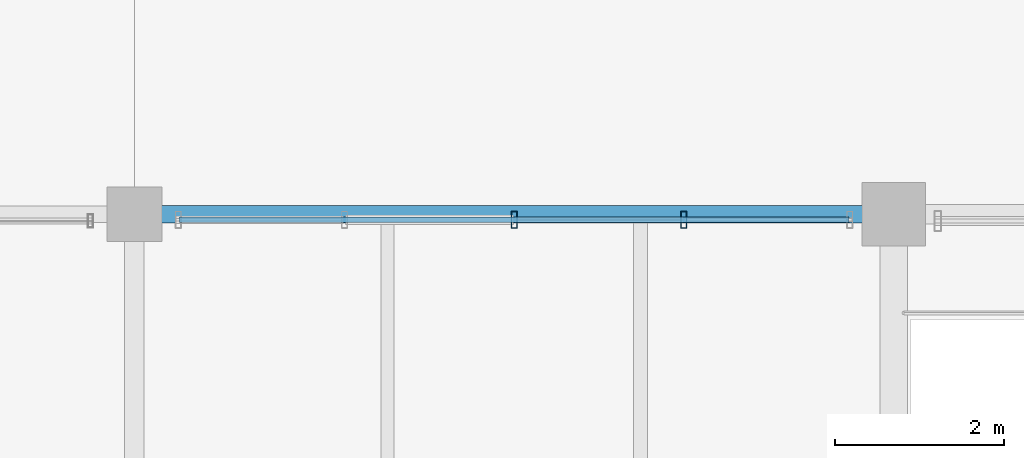
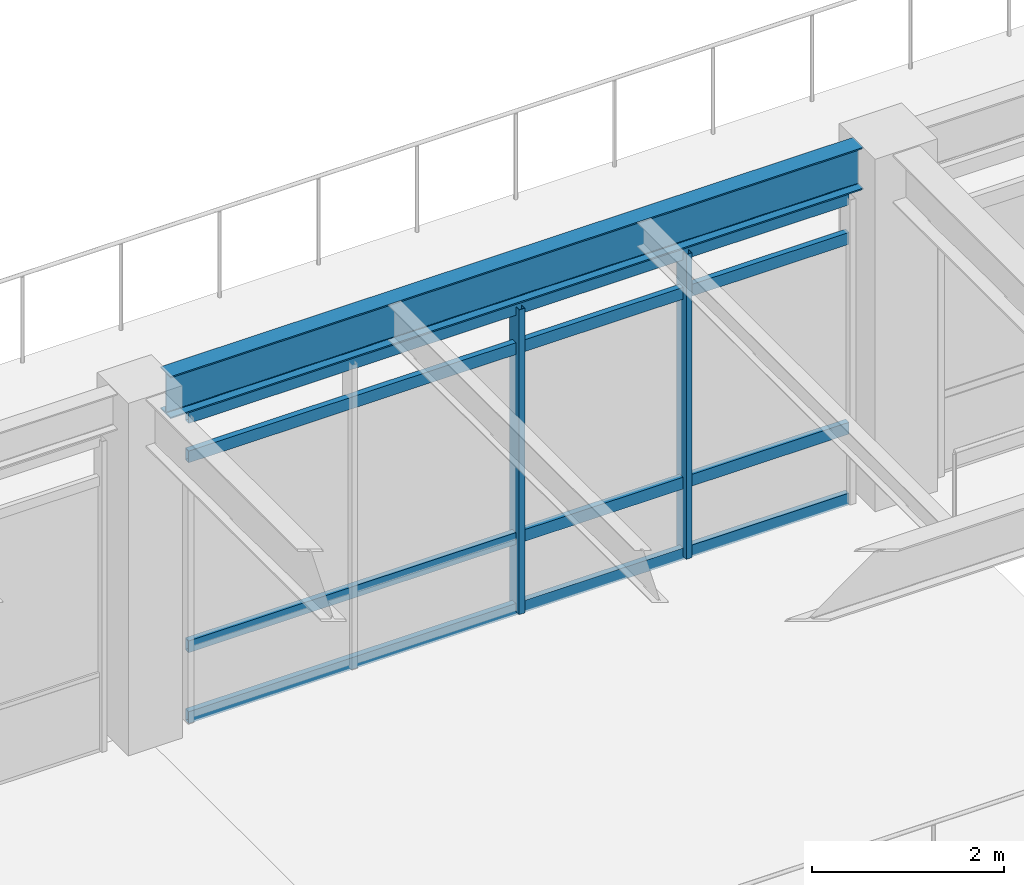
# One storey, part 76 of 200: 6 members, 1 beam, 1 element without a shape of its own.
"""IFC4 building model written with IfcOpenShell, lengths in metres."""

from ifc_helpers import new_model, si_unit, direction, frame, origin, origin_2d, place, context, subcontext, project, spatial, hollow_rectangle, i_section, extrude, material, material_profile, profile_set, type_object, element, aggregate, save


model = new_model("IFC4")

# Units and contexts
model_context = context("Model", 3, precision=1e-05, world=origin(), true_north=direction((0.0, 1.0)))
body_context = subcontext(model_context, "Body", "Model", "MODEL_VIEW")
ifc_project = project(units=[si_unit("LENGTHUNIT", "METRE"), si_unit("AREAUNIT", "SQUARE_METRE"), si_unit("VOLUMEUNIT", "CUBIC_METRE"), si_unit("PLANEANGLEUNIT", "RADIAN"), si_unit("MASSUNIT", "GRAM", prefix="KILO"), si_unit("THERMODYNAMICTEMPERATUREUNIT", "KELVIN"), si_unit("POWERUNIT", "WATT")], contexts=[model_context])

# Site, building, storey
site_placement = place(None, origin())
site = spatial("IfcSite", under=ifc_project, at=site_placement, CompositionType="ELEMENT")
building_placement = place(site_placement, origin())
building = spatial("IfcBuilding", under=site, at=building_placement, Name="Tepalcoro Natatorium and Aquatics Centre", CompositionType="ELEMENT")
storey_placement = place(building_placement, frame((0.0, 0.0, 5.39990234375)))
storey = spatial("IfcBuildingStorey", under=building, at=storey_placement, Name="L01", CompositionType="ELEMENT", Elevation=5.39990234375)

# Curtain wall, members
ifc_material_1 = material(Name="Bronze-Anodised Extruded Aluminium Alloy EN AW-6063 T6", Category="aluminium")
curtain_wall_type = type_object("IfcCurtainWallType", Name="CW_V2_DIVING", PredefinedType="USERDEFINED", material=ifc_material_1)
curtain_wall_placement = place(storey_placement, origin())
curtain_wall = element("IfcCurtainWall", 1, at=curtain_wall_placement, inside=storey, type_object=curtain_wall_type, Name="V1 L01 N Unitised Curtain Wall Bay 6", ObjectType="FACETED SOLAR GLAZING", PredefinedType="USERDEFINED")
ifc_material_profile_1 = material_profile(ifc_material_1, hollow_rectangle(XDim=0.070068359375, YDim=0.199951171875, WallThickness=0.0048828125, at=origin_2d()), Name="AL70X200X5")
ifc_profile_set_1 = profile_set([ifc_material_profile_1], Name="Bronze-Anodised Extruded Aluminium Alloy EN AW-6063 T6")
member_type_1 = type_object("IfcMemberType", Name="CW_MUL_70x200", PredefinedType="MULLION", material=ifc_profile_set_1)
member_1_placement = place(storey_placement, frame((93.5, 65.43505859375, 0.02001953125), z_axis=(0.0, 0.0, 1.0), x_axis=(1.0, 0.0, 0.0)))
member_1 = element("IfcMember", 2, at=member_1_placement, type_object=member_type_1, Name="CW_V2_DIVING Curtain Wall Mullion", PredefinedType="MULLION", context=body_context, shape_type="SweptSolid", body=[
    extrude(hollow_rectangle(XDim=0.070068359375, YDim=0.199951171875, WallThickness=0.0048828125, at=origin_2d()), origin(), (0.0, 0.0, 1.0), 3.8740234375),
])
member_2_placement = place(storey_placement, frame((95.510009765625, 65.43505859375, 0.02001953125), z_axis=(0.0, 0.0, 1.0), x_axis=(1.0, 0.0, 0.0)))
member_2 = element("IfcMember", 3, at=member_2_placement, type_object=member_type_1, Name="CW_V2_DIVING Curtain Wall Mullion", PredefinedType="MULLION", context=body_context, shape_type="SweptSolid", body=[
    extrude(hollow_rectangle(XDim=0.070068359375, YDim=0.199951171875, WallThickness=0.0048828125, at=origin_2d()), origin(), (0.0, 0.0, 1.0), 3.8740234375),
])
ifc_material_profile_2 = material_profile(ifc_material_1, hollow_rectangle(XDim=0.070068359375, YDim=0.14990234375, WallThickness=0.00390625, at=origin_2d()), Name="AL70X150X4")
ifc_profile_set_2 = profile_set([ifc_material_profile_2], Name="Bronze-Anodised Extruded Aluminium Alloy EN AW-6063 T6")
member_type_2 = type_object("IfcMemberType", Name="CW_TRN_70x150", PredefinedType="USERDEFINED", material=ifc_profile_set_2)
member_3_placement = place(storey_placement, frame((89.530029296875, 65.43505859375, 0.050048828125), z_axis=(1.0, 0.0, 0.0), x_axis=(0.0, 1.0, 0.0)))
member_3 = element("IfcMember", 4, at=member_3_placement, type_object=member_type_2, Name="CW_V2_DIVING Curtain Wall Transom", ObjectType="TRANSOM", PredefinedType="USERDEFINED", context=body_context, shape_type="SweptSolid", body=[
    extrude(hollow_rectangle(XDim=0.070068359375, YDim=0.14990234375, WallThickness=0.00390625, at=origin_2d()), origin(), (0.0, 0.0, 1.0), 7.93994140625),
])
member_4_placement = place(storey_placement, frame((89.530029296875, 65.43505859375, 0.9501953125), z_axis=(1.0, 0.0, 0.0), x_axis=(0.0, 1.0, 0.0)))
member_4 = element("IfcMember", 5, at=member_4_placement, type_object=member_type_2, Name="CW_V2_DIVING Curtain Wall Transom", ObjectType="TRANSOM", PredefinedType="USERDEFINED", context=body_context, shape_type="SweptSolid", body=[
    extrude(hollow_rectangle(XDim=0.070068359375, YDim=0.14990234375, WallThickness=0.00390625, at=origin_2d()), origin(), (0.0, 0.0, 1.0), 7.93994140625),
])
member_5_placement = place(storey_placement, frame((89.530029296875, 65.43505859375, 3.364013671875), z_axis=(1.0, 0.0, 0.0), x_axis=(0.0, 1.0, 0.0)))
member_5 = element("IfcMember", 6, at=member_5_placement, type_object=member_type_2, Name="CW_V2_DIVING Curtain Wall Transom", ObjectType="TRANSOM", PredefinedType="USERDEFINED", context=body_context, shape_type="SweptSolid", body=[
    extrude(hollow_rectangle(XDim=0.070068359375, YDim=0.14990234375, WallThickness=0.00390625, at=origin_2d()), origin(), (0.0, 0.0, 1.0), 7.93994140625),
])
member_6_placement = place(storey_placement, frame((89.530029296875, 65.43505859375, 3.864013671875), z_axis=(1.0, 0.0, 0.0), x_axis=(0.0, 1.0, 0.0)))
member_6 = element("IfcMember", 7, at=member_6_placement, type_object=member_type_2, Name="CW_V2_DIVING Curtain Wall Transom", ObjectType="TRANSOM", PredefinedType="USERDEFINED", context=body_context, shape_type="SweptSolid", body=[
    extrude(hollow_rectangle(XDim=0.070068359375, YDim=0.14990234375, WallThickness=0.00390625, at=origin_2d()), origin(), (0.0, 0.0, 1.0), 7.93994140625),
])
aggregate(curtain_wall, [member_1, member_2, member_3, member_4, member_5, member_6])

# Beam
ifc_material_2 = material(Name="Steel ASTM A992 Grade 50 (Fy 345 MPa)", Category="steel")
ifc_material_profile_3 = material_profile(ifc_material_2, i_section(OverallWidth=0.2099609375, OverallDepth=0.535888671875, WebThickness=0.010986328125, FlangeThickness=0.01708984375, FilletRadius=0.013916015625, at=origin_2d()), Name="W21X68")
ifc_profile_set_3 = profile_set([ifc_material_profile_3], Name="Steel ASTM A992 Grade 50 (Fy 345 MPa)")
beam_type = type_object("IfcBeamType", Name="SP_W21x68", PredefinedType="SPANDREL", material=ifc_profile_set_3)
beam_placement = place(storey_placement, frame((89.31005859375, 65.5, 4.197021484375), z_axis=(1.0, 0.0, 0.0), x_axis=(0.0, 1.0, 0.0)))
element("IfcBeam", 8, at=beam_placement, inside=storey, type_object=beam_type, Name="V1 L01 Grid Girder X", PredefinedType="SPANDREL", context=body_context, shape_type="SweptSolid", body=[
    extrude(i_section(OverallWidth=0.2099609375, OverallDepth=0.535888671875, WebThickness=0.010986328125, FlangeThickness=0.01708984375, FilletRadius=0.013916015625, at=origin_2d()), origin(), (0.0, 0.0, 1.0), 8.329833984375),
])

save(model, "model.ifc")
